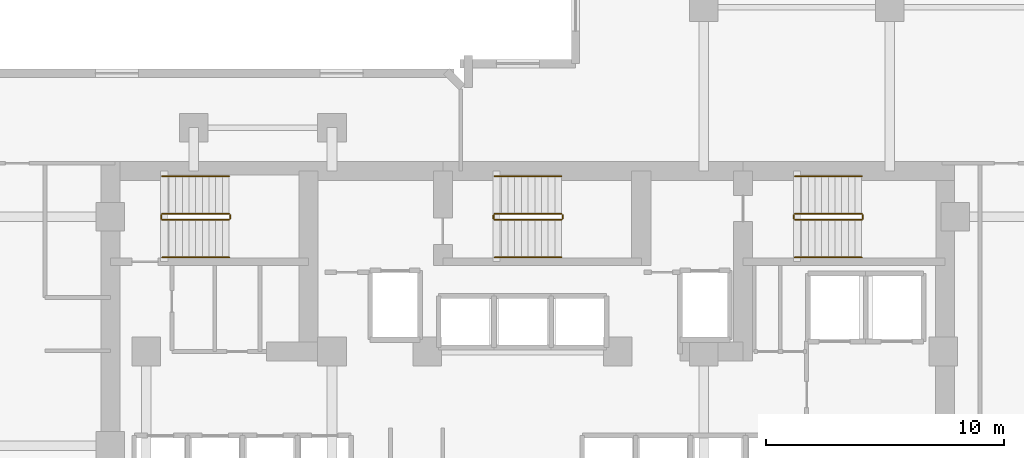
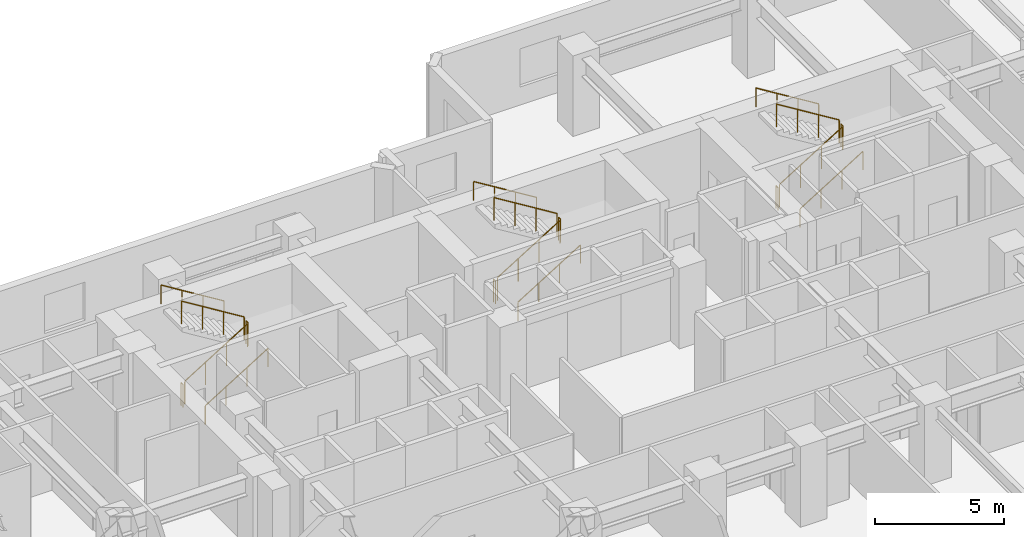
# One storey, part 12 of 12: 18 railings.
"""IFC4 building model written with IfcOpenShell, lengths in metres."""

from ifc_helpers import new_model, si_unit, direction, frame, origin, origin_2d, place, context, subcontext, project, spatial, circle, extrude, material, type_object, element, save


model = new_model("IFC4")

# Units and contexts
model_context = context("Model", 3, precision=1e-05, world=origin(), true_north=direction((0.0, 1.0)))
body_context = subcontext(model_context, "Body", "Model", "MODEL_VIEW")
ifc_project = project(units=[si_unit("LENGTHUNIT", "METRE"), si_unit("AREAUNIT", "SQUARE_METRE"), si_unit("VOLUMEUNIT", "CUBIC_METRE"), si_unit("PLANEANGLEUNIT", "RADIAN"), si_unit("MASSUNIT", "GRAM", prefix="KILO")], contexts=[model_context])

# Site, building, storey
site_placement = place(None, origin())
site = spatial("IfcSite", under=ifc_project, at=site_placement, CompositionType="ELEMENT")
building_placement = place(site_placement, origin())
building = spatial("IfcBuilding", under=site, at=building_placement, Name="Kestravale Grand Hotel", CompositionType="ELEMENT")
storey_placement = place(building_placement, frame((0.0, 0.0, 91.800048828125)))
storey = spatial("IfcBuildingStorey", under=building, at=storey_placement, Name="L22", CompositionType="ELEMENT", Elevation=91.800048828125)

# Railings
ifc_material_1 = material(Name="Painted tubular steel stair well guard", Category="steel")
railing_type_1 = type_object("IfcRailingType", Name="RL-ST-GRD1100", PredefinedType="GUARDRAIL", material=ifc_material_1)
railing_1_placement = place(storey_placement, frame((24.080078125, 38.280029296875, 0.172607421875)))
element("IfcRailing", 1, at=railing_1_placement, inside=storey, type_object=railing_type_1, Name="L22 ST-1 stair guard 1", PredefinedType="GUARDRAIL", context=body_context, shape_type="SweptSolid", body=[
    extrude(circle(Radius=0.02392578125, at=origin_2d()), frame((0.0, 0.0, 1.076171875), z_axis=(0.851069175582, 0.0, 0.525053576669), x_axis=(0.0, 1.0, 0.0)), (0.0, 0.0, 1.0), 3.289794921875),
    extrude(circle(Radius=0.02099609375, at=origin_2d()), origin(), (0.0, 0.0, 1.0), 1.052001953125),
    extrude(circle(Radius=0.02099609375, at=origin_2d()), frame((0.933349609375, 0.0, 0.57568359375)), (0.0, 0.0, 1.0), 1.052001953125),
    extrude(circle(Radius=0.02099609375, at=origin_2d()), frame((1.866455078125, 0.0, 1.151611328125)), (0.0, 0.0, 1.0), 1.052001953125),
    extrude(circle(Radius=0.02099609375, at=origin_2d()), frame((2.7998046875, 0.0, 1.727294921875)), (0.0, 0.0, 1.0), 1.052001953125),
])
railing_2_placement = place(storey_placement, frame((26.929931640625, 38.330078125, 1.89990234375)))
element("IfcRailing", 2, at=railing_2_placement, inside=storey, type_object=railing_type_1, Name="L22 ST-1 stair guard 2", PredefinedType="GUARDRAIL", context=body_context, shape_type="SweptSolid", body=[
    extrude(circle(Radius=0.02392578125, at=origin_2d()), frame((0.0, 0.0, 1.076171875), z_axis=(0.0, 1.0, 0.0), x_axis=(-1.0, 0.0, 0.0)), (0.0, 0.0, 1.0), 0.14990234375),
    extrude(circle(Radius=0.02099609375, at=origin_2d()), origin(), (0.0, 0.0, 1.0), 1.052001953125),
    extrude(circle(Radius=0.02099609375, at=origin_2d()), frame((0.0, 0.14990234375, 0.0)), (0.0, 0.0, 1.0), 1.052001953125),
])
railing_3_placement = place(storey_placement, frame((26.8798828125, 38.530029296875, 2.07275390625)))
element("IfcRailing", 3, at=railing_3_placement, inside=storey, type_object=railing_type_1, Name="L22 ST-1 stair guard 3", PredefinedType="GUARDRAIL", context=body_context, shape_type="SweptSolid", body=[
    extrude(circle(Radius=0.02392578125, at=origin_2d()), frame((0.0, 0.0, 1.076171875), z_axis=(-0.851069175582, 0.0, 0.525053576669), x_axis=(0.0, -1.0, 0.0)), (0.0, 0.0, 1.0), 3.289794921875),
    extrude(circle(Radius=0.02099609375, at=origin_2d()), origin(), (0.0, 0.0, 1.0), 1.052001953125),
    extrude(circle(Radius=0.02099609375, at=origin_2d()), frame((-0.933349609375, 0.0, 0.57568359375)), (0.0, 0.0, 1.0), 1.052001953125),
    extrude(circle(Radius=0.02099609375, at=origin_2d()), frame((-1.866455078125, 0.0, 1.151611328125)), (0.0, 0.0, 1.0), 1.052001953125),
    extrude(circle(Radius=0.02099609375, at=origin_2d()), frame((-2.7998046875, 0.0, 1.727294921875)), (0.0, 0.0, 1.0), 1.052001953125),
])
railing_4_placement = place(storey_placement, frame((24.030029296875, 38.330078125, 0.0)))
element("IfcRailing", 4, at=railing_4_placement, inside=storey, type_object=railing_type_1, Name="L22 ST-1 stair guard 4", PredefinedType="GUARDRAIL", context=body_context, shape_type="SweptSolid", body=[
    extrude(circle(Radius=0.02392578125, at=origin_2d()), frame((0.0, 0.0, 1.076171875), z_axis=(0.0, 1.0, 0.0), x_axis=(-1.0, 0.0, 0.0)), (0.0, 0.0, 1.0), 0.14990234375),
    extrude(circle(Radius=0.02099609375, at=origin_2d()), origin(), (0.0, 0.0, 1.0), 1.052001953125),
    extrude(circle(Radius=0.02099609375, at=origin_2d()), frame((0.0, 0.14990234375, 0.0)), (0.0, 0.0, 1.0), 1.052001953125),
])
railing_5_placement = place(storey_placement, frame((38.030029296875, 38.280029296875, 0.172607421875)))
element("IfcRailing", 5, at=railing_5_placement, inside=storey, type_object=railing_type_1, Name="L22 ST-2 stair guard 1", PredefinedType="GUARDRAIL", context=body_context, shape_type="SweptSolid", body=[
    extrude(circle(Radius=0.02392578125, at=origin_2d()), frame((0.0, 0.0, 1.076171875), z_axis=(0.851089632645, 0.0, 0.525020415988), x_axis=(0.0, 1.0, 0.0)), (0.0, 0.0, 1.0), 3.2900390625),
    extrude(circle(Radius=0.02099609375, at=origin_2d()), origin(), (0.0, 0.0, 1.0), 1.052001953125),
    extrude(circle(Radius=0.02099609375, at=origin_2d()), frame((0.933349609375, 0.0, 0.57568359375)), (0.0, 0.0, 1.0), 1.052001953125),
    extrude(circle(Radius=0.02099609375, at=origin_2d()), frame((1.86669921875, 0.0, 1.151611328125)), (0.0, 0.0, 1.0), 1.052001953125),
    extrude(circle(Radius=0.02099609375, at=origin_2d()), frame((2.800048828125, 0.0, 1.727294921875)), (0.0, 0.0, 1.0), 1.052001953125),
])
railing_6_placement = place(storey_placement, frame((40.8798828125, 38.330078125, 1.89990234375)))
element("IfcRailing", 6, at=railing_6_placement, inside=storey, type_object=railing_type_1, Name="L22 ST-2 stair guard 2", PredefinedType="GUARDRAIL", context=body_context, shape_type="SweptSolid", body=[
    extrude(circle(Radius=0.02392578125, at=origin_2d()), frame((0.0, 0.0, 1.076171875), z_axis=(0.0, 1.0, 0.0), x_axis=(-1.0, 0.0, 0.0)), (0.0, 0.0, 1.0), 0.14990234375),
    extrude(circle(Radius=0.02099609375, at=origin_2d()), origin(), (0.0, 0.0, 1.0), 1.052001953125),
    extrude(circle(Radius=0.02099609375, at=origin_2d()), frame((0.0, 0.14990234375, 0.0)), (0.0, 0.0, 1.0), 1.052001953125),
])
railing_7_placement = place(storey_placement, frame((40.830078125, 38.530029296875, 2.07275390625)))
element("IfcRailing", 7, at=railing_7_placement, inside=storey, type_object=railing_type_1, Name="L22 ST-2 stair guard 3", PredefinedType="GUARDRAIL", context=body_context, shape_type="SweptSolid", body=[
    extrude(circle(Radius=0.02392578125, at=origin_2d()), frame((0.0, 0.0, 1.076171875), z_axis=(-0.851089632645, 0.0, 0.525020415988), x_axis=(0.0, -1.0, 0.0)), (0.0, 0.0, 1.0), 3.2900390625),
    extrude(circle(Radius=0.02099609375, at=origin_2d()), origin(), (0.0, 0.0, 1.0), 1.052001953125),
    extrude(circle(Radius=0.02099609375, at=origin_2d()), frame((-0.933349609375, 0.0, 0.57568359375)), (0.0, 0.0, 1.0), 1.052001953125),
    extrude(circle(Radius=0.02099609375, at=origin_2d()), frame((-1.86669921875, 0.0, 1.151611328125)), (0.0, 0.0, 1.0), 1.052001953125),
    extrude(circle(Radius=0.02099609375, at=origin_2d()), frame((-2.800048828125, 0.0, 1.727294921875)), (0.0, 0.0, 1.0), 1.052001953125),
])
railing_8_placement = place(storey_placement, frame((37.97998046875, 38.330078125, 0.0)))
element("IfcRailing", 8, at=railing_8_placement, inside=storey, type_object=railing_type_1, Name="L22 ST-2 stair guard 4", PredefinedType="GUARDRAIL", context=body_context, shape_type="SweptSolid", body=[
    extrude(circle(Radius=0.02392578125, at=origin_2d()), frame((0.0, 0.0, 1.076171875), z_axis=(0.0, 1.0, 0.0), x_axis=(-1.0, 0.0, 0.0)), (0.0, 0.0, 1.0), 0.14990234375),
    extrude(circle(Radius=0.02099609375, at=origin_2d()), origin(), (0.0, 0.0, 1.0), 1.052001953125),
    extrude(circle(Radius=0.02099609375, at=origin_2d()), frame((0.0, 0.14990234375, 0.0)), (0.0, 0.0, 1.0), 1.052001953125),
])
railing_9_placement = place(storey_placement, frame((50.6298828125, 38.280029296875, 0.172607421875)))
element("IfcRailing", 9, at=railing_9_placement, inside=storey, type_object=railing_type_1, Name="L22 ST-3 stair guard 1", PredefinedType="GUARDRAIL", context=body_context, shape_type="SweptSolid", body=[
    extrude(circle(Radius=0.02392578125, at=origin_2d()), frame((0.0, 0.0, 1.076171875), z_axis=(0.851089632645, 0.0, 0.525020415988), x_axis=(0.0, 1.0, 0.0)), (0.0, 0.0, 1.0), 3.2900390625),
    extrude(circle(Radius=0.02099609375, at=origin_2d()), origin(), (0.0, 0.0, 1.0), 1.052001953125),
    extrude(circle(Radius=0.02099609375, at=origin_2d()), frame((0.933349609375, 0.0, 0.57568359375)), (0.0, 0.0, 1.0), 1.052001953125),
    extrude(circle(Radius=0.02099609375, at=origin_2d()), frame((1.86669921875, 0.0, 1.151611328125)), (0.0, 0.0, 1.0), 1.052001953125),
    extrude(circle(Radius=0.02099609375, at=origin_2d()), frame((2.800048828125, 0.0, 1.727294921875)), (0.0, 0.0, 1.0), 1.052001953125),
])
railing_10_placement = place(storey_placement, frame((53.47998046875, 38.330078125, 1.89990234375)))
element("IfcRailing", 10, at=railing_10_placement, inside=storey, type_object=railing_type_1, Name="L22 ST-3 stair guard 2", PredefinedType="GUARDRAIL", context=body_context, shape_type="SweptSolid", body=[
    extrude(circle(Radius=0.02392578125, at=origin_2d()), frame((0.0, 0.0, 1.076171875), z_axis=(0.0, 1.0, 0.0), x_axis=(-1.0, 0.0, 0.0)), (0.0, 0.0, 1.0), 0.14990234375),
    extrude(circle(Radius=0.02099609375, at=origin_2d()), origin(), (0.0, 0.0, 1.0), 1.052001953125),
    extrude(circle(Radius=0.02099609375, at=origin_2d()), frame((0.0, 0.14990234375, 0.0)), (0.0, 0.0, 1.0), 1.052001953125),
])
railing_11_placement = place(storey_placement, frame((53.429931640625, 38.530029296875, 2.07275390625)))
element("IfcRailing", 11, at=railing_11_placement, inside=storey, type_object=railing_type_1, Name="L22 ST-3 stair guard 3", PredefinedType="GUARDRAIL", context=body_context, shape_type="SweptSolid", body=[
    extrude(circle(Radius=0.02392578125, at=origin_2d()), frame((0.0, 0.0, 1.076171875), z_axis=(-0.851089632645, 0.0, 0.525020415988), x_axis=(0.0, -1.0, 0.0)), (0.0, 0.0, 1.0), 3.2900390625),
    extrude(circle(Radius=0.02099609375, at=origin_2d()), origin(), (0.0, 0.0, 1.0), 1.052001953125),
    extrude(circle(Radius=0.02099609375, at=origin_2d()), frame((-0.933349609375, 0.0, 0.57568359375)), (0.0, 0.0, 1.0), 1.052001953125),
    extrude(circle(Radius=0.02099609375, at=origin_2d()), frame((-1.86669921875, 0.0, 1.151611328125)), (0.0, 0.0, 1.0), 1.052001953125),
    extrude(circle(Radius=0.02099609375, at=origin_2d()), frame((-2.800048828125, 0.0, 1.727294921875)), (0.0, 0.0, 1.0), 1.052001953125),
])
railing_12_placement = place(storey_placement, frame((50.580078125, 38.330078125, 0.0)))
element("IfcRailing", 12, at=railing_12_placement, inside=storey, type_object=railing_type_1, Name="L22 ST-3 stair guard 4", PredefinedType="GUARDRAIL", context=body_context, shape_type="SweptSolid", body=[
    extrude(circle(Radius=0.02392578125, at=origin_2d()), frame((0.0, 0.0, 1.076171875), z_axis=(0.0, 1.0, 0.0), x_axis=(-1.0, 0.0, 0.0)), (0.0, 0.0, 1.0), 0.14990234375),
    extrude(circle(Radius=0.02099609375, at=origin_2d()), origin(), (0.0, 0.0, 1.0), 1.052001953125),
    extrude(circle(Radius=0.02099609375, at=origin_2d()), frame((0.0, 0.14990234375, 0.0)), (0.0, 0.0, 1.0), 1.052001953125),
])
ifc_material_2 = material(Name="Brushed stainless steel wall handrail", Category="steel")
railing_type_2 = type_object("IfcRailingType", Name="RL-ST-HND900", PredefinedType="HANDRAIL", material=ifc_material_2)
railing_13_placement = place(storey_placement, frame((24.080078125, 36.699951171875, 0.172607421875)))
element("IfcRailing", 13, at=railing_13_placement, inside=storey, type_object=railing_type_2, Name="L22 ST-1 stair handrail 1", PredefinedType="HANDRAIL", context=body_context, shape_type="SweptSolid", body=[
    extrude(circle(Radius=0.02392578125, at=origin_2d()), frame((0.0, 0.0, 0.8759765625), z_axis=(0.851069175582, 0.0, 0.525053576669), x_axis=(0.0, 1.0, 0.0)), (0.0, 0.0, 1.0), 3.289794921875),
    extrude(circle(Radius=0.02099609375, at=origin_2d()), origin(), (0.0, 0.0, 1.0), 0.851806640625),
    extrude(circle(Radius=0.02099609375, at=origin_2d()), frame((0.933349609375, 0.0, 0.57568359375)), (0.0, 0.0, 1.0), 0.851806640625),
    extrude(circle(Radius=0.02099609375, at=origin_2d()), frame((1.866455078125, 0.0, 1.151611328125)), (0.0, 0.0, 1.0), 0.851806640625),
    extrude(circle(Radius=0.02099609375, at=origin_2d()), frame((2.7998046875, 0.0, 1.727294921875)), (0.0, 0.0, 1.0), 0.851806640625),
])
railing_14_placement = place(storey_placement, frame((26.8798828125, 40.110107421875, 2.07275390625)))
element("IfcRailing", 14, at=railing_14_placement, inside=storey, type_object=railing_type_2, Name="L22 ST-1 stair handrail 2", PredefinedType="HANDRAIL", context=body_context, shape_type="SweptSolid", body=[
    extrude(circle(Radius=0.02392578125, at=origin_2d()), frame((0.0, 0.0, 0.8759765625), z_axis=(-0.851069175582, 0.0, 0.525053576669), x_axis=(0.0, -1.0, 0.0)), (0.0, 0.0, 1.0), 3.289794921875),
    extrude(circle(Radius=0.02099609375, at=origin_2d()), origin(), (0.0, 0.0, 1.0), 0.851806640625),
    extrude(circle(Radius=0.02099609375, at=origin_2d()), frame((-0.933349609375, 0.0, 0.57568359375)), (0.0, 0.0, 1.0), 0.851806640625),
    extrude(circle(Radius=0.02099609375, at=origin_2d()), frame((-1.866455078125, 0.0, 1.151611328125)), (0.0, 0.0, 1.0), 0.851806640625),
    extrude(circle(Radius=0.02099609375, at=origin_2d()), frame((-2.7998046875, 0.0, 1.727294921875)), (0.0, 0.0, 1.0), 0.851806640625),
])
railing_15_placement = place(storey_placement, frame((38.030029296875, 36.699951171875, 0.172607421875)))
element("IfcRailing", 15, at=railing_15_placement, inside=storey, type_object=railing_type_2, Name="L22 ST-2 stair handrail 1", PredefinedType="HANDRAIL", context=body_context, shape_type="SweptSolid", body=[
    extrude(circle(Radius=0.02392578125, at=origin_2d()), frame((0.0, 0.0, 0.8759765625), z_axis=(0.851089632645, 0.0, 0.525020415988), x_axis=(0.0, 1.0, 0.0)), (0.0, 0.0, 1.0), 3.2900390625),
    extrude(circle(Radius=0.02099609375, at=origin_2d()), origin(), (0.0, 0.0, 1.0), 0.851806640625),
    extrude(circle(Radius=0.02099609375, at=origin_2d()), frame((0.933349609375, 0.0, 0.57568359375)), (0.0, 0.0, 1.0), 0.851806640625),
    extrude(circle(Radius=0.02099609375, at=origin_2d()), frame((1.86669921875, 0.0, 1.151611328125)), (0.0, 0.0, 1.0), 0.851806640625),
    extrude(circle(Radius=0.02099609375, at=origin_2d()), frame((2.800048828125, 0.0, 1.727294921875)), (0.0, 0.0, 1.0), 0.851806640625),
])
railing_16_placement = place(storey_placement, frame((40.830078125, 40.110107421875, 2.07275390625)))
element("IfcRailing", 16, at=railing_16_placement, inside=storey, type_object=railing_type_2, Name="L22 ST-2 stair handrail 2", PredefinedType="HANDRAIL", context=body_context, shape_type="SweptSolid", body=[
    extrude(circle(Radius=0.02392578125, at=origin_2d()), frame((0.0, 0.0, 0.8759765625), z_axis=(-0.851089632645, 0.0, 0.525020415988), x_axis=(0.0, -1.0, 0.0)), (0.0, 0.0, 1.0), 3.2900390625),
    extrude(circle(Radius=0.02099609375, at=origin_2d()), origin(), (0.0, 0.0, 1.0), 0.851806640625),
    extrude(circle(Radius=0.02099609375, at=origin_2d()), frame((-0.933349609375, 0.0, 0.57568359375)), (0.0, 0.0, 1.0), 0.851806640625),
    extrude(circle(Radius=0.02099609375, at=origin_2d()), frame((-1.86669921875, 0.0, 1.151611328125)), (0.0, 0.0, 1.0), 0.851806640625),
    extrude(circle(Radius=0.02099609375, at=origin_2d()), frame((-2.800048828125, 0.0, 1.727294921875)), (0.0, 0.0, 1.0), 0.851806640625),
])
railing_17_placement = place(storey_placement, frame((50.6298828125, 36.699951171875, 0.172607421875)))
element("IfcRailing", 17, at=railing_17_placement, inside=storey, type_object=railing_type_2, Name="L22 ST-3 stair handrail 1", PredefinedType="HANDRAIL", context=body_context, shape_type="SweptSolid", body=[
    extrude(circle(Radius=0.02392578125, at=origin_2d()), frame((0.0, 0.0, 0.8759765625), z_axis=(0.851089632645, 0.0, 0.525020415988), x_axis=(0.0, 1.0, 0.0)), (0.0, 0.0, 1.0), 3.2900390625),
    extrude(circle(Radius=0.02099609375, at=origin_2d()), origin(), (0.0, 0.0, 1.0), 0.851806640625),
    extrude(circle(Radius=0.02099609375, at=origin_2d()), frame((0.933349609375, 0.0, 0.57568359375)), (0.0, 0.0, 1.0), 0.851806640625),
    extrude(circle(Radius=0.02099609375, at=origin_2d()), frame((1.86669921875, 0.0, 1.151611328125)), (0.0, 0.0, 1.0), 0.851806640625),
    extrude(circle(Radius=0.02099609375, at=origin_2d()), frame((2.800048828125, 0.0, 1.727294921875)), (0.0, 0.0, 1.0), 0.851806640625),
])
railing_18_placement = place(storey_placement, frame((53.429931640625, 40.110107421875, 2.07275390625)))
element("IfcRailing", 18, at=railing_18_placement, inside=storey, type_object=railing_type_2, Name="L22 ST-3 stair handrail 2", PredefinedType="HANDRAIL", context=body_context, shape_type="SweptSolid", body=[
    extrude(circle(Radius=0.02392578125, at=origin_2d()), frame((0.0, 0.0, 0.8759765625), z_axis=(-0.851089632645, 0.0, 0.525020415988), x_axis=(0.0, -1.0, 0.0)), (0.0, 0.0, 1.0), 3.2900390625),
    extrude(circle(Radius=0.02099609375, at=origin_2d()), origin(), (0.0, 0.0, 1.0), 0.851806640625),
    extrude(circle(Radius=0.02099609375, at=origin_2d()), frame((-0.933349609375, 0.0, 0.57568359375)), (0.0, 0.0, 1.0), 0.851806640625),
    extrude(circle(Radius=0.02099609375, at=origin_2d()), frame((-1.86669921875, 0.0, 1.151611328125)), (0.0, 0.0, 1.0), 0.851806640625),
    extrude(circle(Radius=0.02099609375, at=origin_2d()), frame((-2.800048828125, 0.0, 1.727294921875)), (0.0, 0.0, 1.0), 0.851806640625),
])

save(model, "model.ifc")
